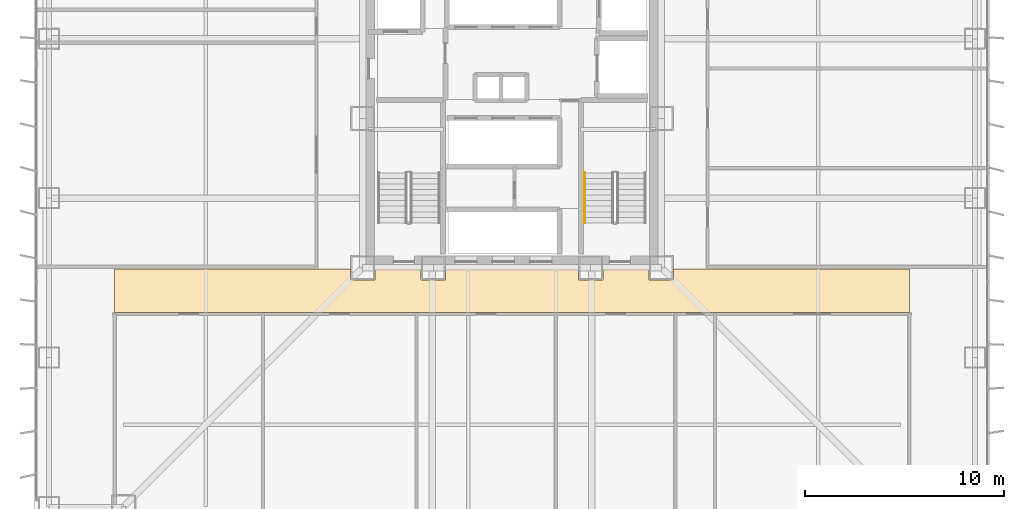
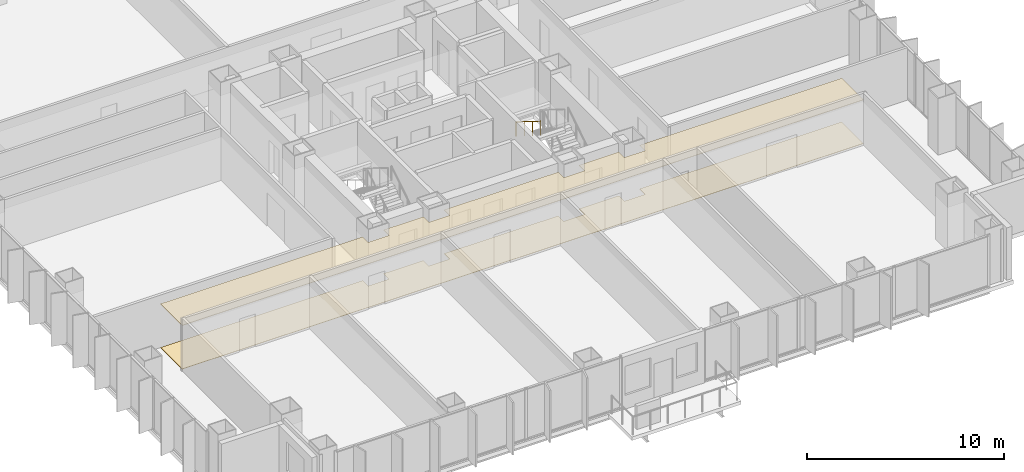
# One storey, part 19 of 21: 2 coverings, 1 railing.
"""IFC4 building model written with IfcOpenShell, lengths in metres."""

from ifc_helpers import new_model, si_unit, direction, frame, origin, origin_2d, place, context, subcontext, project, spatial, polyline, circle, outline, extrude, material, layer, layer_set, type_object, element, save


model = new_model("IFC4")

# Units and contexts
model_context = context("Model", 3, precision=1e-05, world=origin(), true_north=direction((0.0, 1.0)))
body_context = subcontext(model_context, "Body", "Model", "MODEL_VIEW")
ifc_project = project(units=[si_unit("LENGTHUNIT", "METRE"), si_unit("AREAUNIT", "SQUARE_METRE"), si_unit("VOLUMEUNIT", "CUBIC_METRE"), si_unit("PLANEANGLEUNIT", "RADIAN"), si_unit("MASSUNIT", "GRAM", prefix="KILO")], contexts=[model_context])

# Site, building, storey
site_placement = place(None, origin())
site = spatial("IfcSite", under=ifc_project, at=site_placement, CompositionType="ELEMENT")
building_placement = place(site_placement, origin())
building = spatial("IfcBuilding", under=site, at=building_placement, Name="Trevonay Congress Spire", CompositionType="ELEMENT")
storey_placement = place(building_placement, frame((0.0, 0.0, 37.5)))
storey = spatial("IfcBuildingStorey", under=building, at=storey_placement, Name="L08", CompositionType="ELEMENT", Elevation=37.5)

# Coverings
ifc_material_1 = material(Name="Acoustic Mineral Fibre Board", Category="gypsum")
ifc_layer_1 = layer(ifc_material_1, 0.02490234375, Name="Acoustic Mineral Fibre Board")
ifc_layer_set_1 = layer_set([ifc_layer_1], Name="Acoustic Mineral Fibre Board")
covering_type_1 = type_object("IfcCoveringType", Name="COV-CEIL-ACOUSTIC", PredefinedType="CEILING", material=ifc_layer_set_1)
covering_1_placement = place(storey_placement, frame((0.0, 0.0, 2.699951171875)))
element("IfcCovering", 1, at=covering_1_placement, inside=storey, type_object=covering_type_1, Name="L08 Hotel Floor Corridor South acoustic suspended ceiling", PredefinedType="CEILING", context=body_context, shape_type="SweptSolid", body=[
    extrude(outline(polyline([(19.949951171875, -7.550048828125), (19.949951171875, -9.75), (-19.949951171875, -9.75), (-19.949951171875, -7.550048828125), (-8.110107421875, -7.550048828125), (-8.110107421875, -8.110107421875), (-6.889892578125, -8.110107421875), (-6.889892578125, -7.550048828125), (-4.56005859375, -7.550048828125), (-4.56005859375, -8.110107421875), (-3.340087890625, -8.110107421875), (-3.340087890625, -7.550048828125), (3.340087890625, -7.550048828125), (3.340087890625, -8.110107421875), (4.56005859375, -8.110107421875), (4.56005859375, -7.550048828125), (6.889892578125, -7.550048828125), (6.889892578125, -8.110107421875), (8.110107421875, -8.110107421875), (8.110107421875, -7.550048828125), (19.949951171875, -7.550048828125)])), origin(), (0.0, 0.0, 1.0), 0.025146484375),
])
ifc_material_2 = material(Name="Polished Granite Floor Tile", Category="masonry")
ifc_layer_2 = layer(ifc_material_2, 0.02001953125, Name="Polished Granite Floor Tile")
ifc_layer_set_2 = layer_set([ifc_layer_2], Name="Polished Granite Floor Tile")
covering_type_2 = type_object("IfcCoveringType", Name="COV-FLOOR-STONE", PredefinedType="FLOORING", material=ifc_layer_set_2)
covering_2_placement = place(storey_placement, origin())
element("IfcCovering", 2, at=covering_2_placement, inside=storey, type_object=covering_type_2, Name="L08 Hotel Floor Corridor South floor finish", PredefinedType="FLOORING", context=body_context, shape_type="SweptSolid", body=[
    extrude(outline(polyline([(19.949951171875, -7.550048828125), (19.949951171875, -9.75), (-19.949951171875, -9.75), (-19.949951171875, -7.550048828125), (-8.110107421875, -7.550048828125), (-8.110107421875, -8.110107421875), (-6.889892578125, -8.110107421875), (-6.889892578125, -7.550048828125), (-4.56005859375, -7.550048828125), (-4.56005859375, -8.110107421875), (-3.340087890625, -8.110107421875), (-3.340087890625, -7.550048828125), (3.340087890625, -7.550048828125), (3.340087890625, -8.110107421875), (4.56005859375, -8.110107421875), (4.56005859375, -7.550048828125), (6.889892578125, -7.550048828125), (6.889892578125, -8.110107421875), (8.110107421875, -8.110107421875), (8.110107421875, -7.550048828125), (19.949951171875, -7.550048828125)])), origin(), (0.0, 0.0, 1.0), 0.02001953125),
])

# Railing
ifc_material_3 = material(Name="Pale Anodised Aluminium EN AW-6063-T6", Category="aluminium")
railing_type = type_object("IfcRailingType", Name="RAL-STAIR-HANDRAIL", PredefinedType="HANDRAIL", material=ifc_material_3)
railing_placement = place(storey_placement, frame((3.64990234375, -2.72998046875, 1.925048828125)))
element("IfcRailing", 3, at=railing_placement, inside=storey, type_object=railing_type, Name="L08 ST-2 stair handrail 2", PredefinedType="HANDRAIL", context=body_context, shape_type="SweptSolid", body=[
    extrude(circle(Radius=0.02392578125, at=origin_2d()), frame((0.0, 0.0, 0.8759765625), z_axis=(0.0, -0.848007534815, 0.529984170421), x_axis=(1.0, 0.0, 0.0)), (0.0, 0.0, 1.0), 2.9716796875),
    extrude(circle(Radius=0.02099609375, at=origin_2d()), origin(), (0.0, 0.0, 1.0), 0.851806640625),
    extrude(circle(Radius=0.02099609375, at=origin_2d()), frame((0.0, -0.840087890625, 0.52490234375)), (0.0, 0.0, 1.0), 0.851806640625),
    extrude(circle(Radius=0.02099609375, at=origin_2d()), frame((0.0, -1.679931640625, 1.050048828125)), (0.0, 0.0, 1.0), 0.851806640625),
    extrude(circle(Radius=0.02099609375, at=origin_2d()), frame((0.0, -2.52001953125, 1.574951171875)), (0.0, 0.0, 1.0), 0.851806640625),
])

save(model, "model.ifc")
